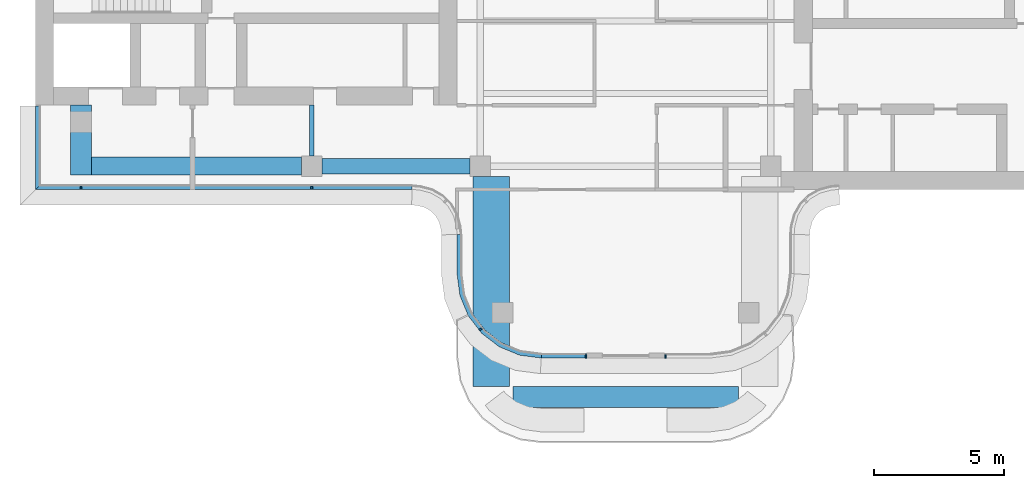
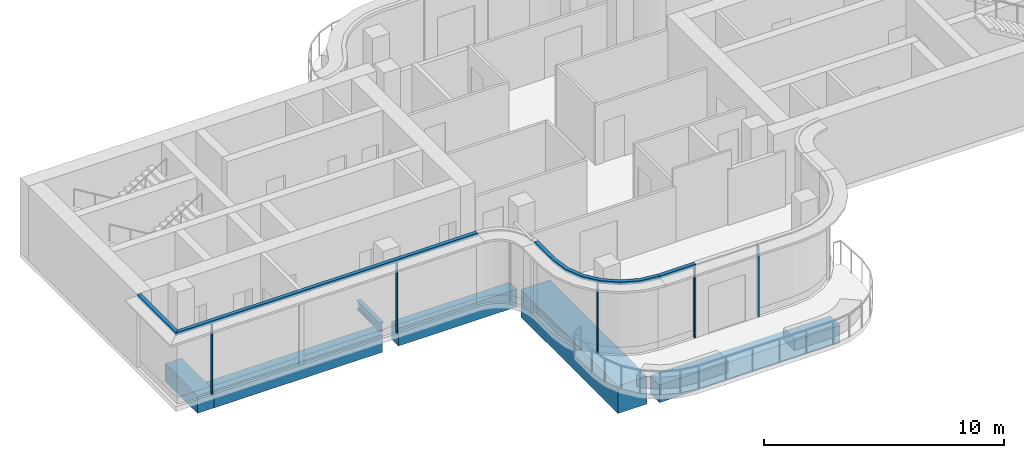
# One storey, part 2 of 9: 9 members, 6 beams, 5 elements without a shape of their own.
"""IFC4 building model written with IfcOpenShell, lengths in metres."""

from ifc_helpers import new_model, si_unit, direction, frame, origin, origin_2d, place, context, subcontext, project, spatial, polyline, rectangle, i_section, outline, extrude, source, transform, mapped, material, layer, layer_set, material_profile, profile_set, type_object, element, aggregate, save


model = new_model("IFC4")

# Units and contexts
model_context = context("Model", 3, precision=1e-05, world=origin(), true_north=direction((0.0, 1.0)))
body_context = subcontext(model_context, "Body", "Model", "MODEL_VIEW")
ifc_project = project(units=[si_unit("LENGTHUNIT", "METRE"), si_unit("AREAUNIT", "SQUARE_METRE"), si_unit("VOLUMEUNIT", "CUBIC_METRE"), si_unit("PLANEANGLEUNIT", "RADIAN"), si_unit("MASSUNIT", "GRAM", prefix="KILO")], contexts=[model_context])

# Site, building, storey
site_placement = place(None, origin())
site = spatial("IfcSite", under=ifc_project, at=site_placement, CompositionType="ELEMENT")
building_placement = place(site_placement, origin())
building = spatial("IfcBuilding", under=site, at=building_placement, Name="Trellis Farm Tower", CompositionType="ELEMENT")
storey_placement = place(building_placement, frame((0.0, 0.0, 354.10009765625)))
storey = spatial("IfcBuildingStorey", under=building, at=storey_placement, Name="L80", CompositionType="ELEMENT", Elevation=354.10009765625)

# Curtain wall, member
ifc_material_1 = material(Name="Aluminium and glass curtain wall", Category="aluminium")
ifc_layer_1 = layer(ifc_material_1, 0.176025390625)
ifc_layer_set_1 = layer_set([ifc_layer_1], Name="CROWN LANTERN CURTAIN WALL CW5")
curtain_wall_type = type_object("IfcCurtainWallType", Name="CROWN LANTERN CURTAIN WALL CW5", PredefinedType="NOTDEFINED", material=ifc_layer_set_1)
placement_1 = place(storey_placement, origin())
curtain_wall_1 = element("IfcCurtainWall", 1, at=placement_1, inside=storey, type_object=curtain_wall_type, Name="CW5 002", PredefinedType="NOTDEFINED")
ifc_material_2 = material(Name="Aluminium extrusion 6063-T6", Category="aluminium")
ifc_layer_2 = layer(ifc_material_2, 0.176025390625)
ifc_layer_set_2 = layer_set([ifc_layer_2], Name="Aluminium extrusion 6063-T6")
member_type_1 = type_object("IfcMemberType", Name="CW5 TRANSOM 176x150", PredefinedType="USERDEFINED", material=ifc_layer_set_2)
placement_2 = place(storey_placement, frame((0.0, 0.0, 3.599853515625)))
member_1 = element("IfcMember", 2, at=placement_2, type_object=member_type_1, Name="TR5 002", ObjectType="TRANSOM", PredefinedType="USERDEFINED", context=body_context, shape_type="SweptSolid", body=[
    extrude(outline(polyline([(-3.25, -13.0), (-1.5, -13.0), (-1.5, -12.823974609375), (-3.238525390625, -12.823974609375), (-3.25, -13.0)])), origin(), (0.0, 0.0, 1.0), 0.150146484375),
])

# Beams
ifc_material_3 = material(Name="Concrete C60/75", Category="concrete")
ifc_material_profile_1 = material_profile(ifc_material_3, rectangle(XDim=0.699951171875, YDim=0.89990234375, at=origin_2d()), Name="RC spandrel beam 700x900 C60/75")
ifc_profile_set_1 = profile_set([ifc_material_profile_1], Name="Concrete C60/75")
beam_type_1 = type_object("IfcBeamType", Name="RC spandrel beam 700x900 C60/75", PredefinedType="SPANDREL", material=ifc_profile_set_1)
shared_shape_1 = source(origin(), body_context, "Body", "SweptSolid", [
    extrude(rectangle(XDim=0.699951171875, YDim=0.89990234375, at=origin_2d()), origin(), (0.0, 0.0, 1.0), 8.10009765625),
])
beam_1_placement = place(storey_placement, frame((-20.60009765625, -5.60009765625, -0.7001953125), z_axis=(1.0, 0.0, 0.0), x_axis=(0.0, 1.0, 0.0)))
element("IfcBeam", 3, at=beam_1_placement, inside=storey, type_object=beam_type_1, Name="Girder", PredefinedType="SPANDREL", context=body_context, shape_type="MappedRepresentation", body=[
    mapped(shared_shape_1, transform((0.0, 0.0, 0.0))),
])
ifc_material_profile_2 = material_profile(ifc_material_3, rectangle(XDim=0.800048828125, YDim=0.89990234375, at=origin_2d()), Name="RC spandrel beam 800x900 C60/75")
ifc_profile_set_2 = profile_set([ifc_material_profile_2], Name="Concrete C60/75")
beam_type_2 = type_object("IfcBeamType", Name="RC spandrel beam 800x900 C60/75", PredefinedType="SPANDREL", material=ifc_profile_set_2)
shared_shape_2 = source(origin(), body_context, "Body", "SweptSolid", [
    extrude(rectangle(XDim=0.800048828125, YDim=0.89990234375, at=origin_2d()), origin(), (0.0, 0.0, 1.0), 2.699951171875),
])
beam_2_placement = place(storey_placement, frame((-21.0, -5.949951171875, -0.7001953125), z_axis=(0.0, 1.0, 0.0), x_axis=(-1.0, 0.0, 0.0)))
element("IfcBeam", 4, at=beam_2_placement, inside=storey, type_object=beam_type_2, Name="Girder", PredefinedType="SPANDREL", context=body_context, shape_type="MappedRepresentation", body=[
    mapped(shared_shape_2, transform((0.0, 0.0, 0.0))),
])
ifc_material_profile_3 = material_profile(ifc_material_3, rectangle(XDim=0.60009765625, YDim=0.89990234375, at=origin_2d()), Name="RC spandrel beam 600x900 C60/75")
ifc_profile_set_3 = profile_set([ifc_material_profile_3], Name="Concrete C60/75")
beam_type_3 = type_object("IfcBeamType", Name="RC spandrel beam 600x900 C60/75", PredefinedType="SPANDREL", material=ifc_profile_set_3)
shared_shape_3 = source(origin(), body_context, "Body", "SweptSolid", [
    extrude(rectangle(XDim=0.60009765625, YDim=0.89990234375, at=origin_2d()), origin(), (0.0, 0.0, 1.0), 5.699951171875),
])
beam_3_placement = place(storey_placement, frame((-11.699951171875, -5.60009765625, -0.7001953125), z_axis=(1.0, 0.0, 0.0), x_axis=(0.0, 1.0, 0.0)))
element("IfcBeam", 5, at=beam_3_placement, inside=storey, type_object=beam_type_3, Name="Girder", PredefinedType="SPANDREL", context=body_context, shape_type="MappedRepresentation", body=[
    mapped(shared_shape_3, transform((0.0, 0.0, 0.0))),
])
shared_shape_4 = source(origin(), body_context, "Body", "SweptSolid", [
    extrude(rectangle(XDim=0.800048828125, YDim=0.89990234375, at=origin_2d()), origin(), (0.0, 0.0, 1.0), 8.7001953125),
])
beam_4_placement = place(storey_placement, frame((-4.35009765625, -14.5, -0.7001953125), z_axis=(1.0, 0.0, 0.0), x_axis=(0.0, 1.0, 0.0)))
element("IfcBeam", 6, at=beam_4_placement, inside=storey, type_object=beam_type_2, Name="Girder", PredefinedType="SPANDREL", context=body_context, shape_type="MappedRepresentation", body=[
    mapped(shared_shape_4, transform((0.0, 0.0, 0.0))),
])
ifc_material_4 = material(Name="Concrete C80/95", Category="concrete")
ifc_material_profile_4 = material_profile(ifc_material_4, rectangle(XDim=1.39990234375, YDim=1.39990234375, at=origin_2d()), Name="RC transfer beam 1400x1400 C80/95")
ifc_profile_set_4 = profile_set([ifc_material_profile_4], Name="Concrete C80/95")
beam_type_4 = type_object("IfcBeamType", Name="RC transfer beam 1400x1400 C80/95", PredefinedType="BEAM", material=ifc_profile_set_4)
shared_shape_5 = source(origin(), body_context, "Body", "SweptSolid", [
    extrude(rectangle(XDim=1.39990234375, YDim=1.39990234375, at=origin_2d()), origin(), (0.0, 0.0, 1.0), 8.10009765625),
])
beam_5_placement = place(storey_placement, frame((-5.175048828125, -14.10009765625, -0.9501953125), z_axis=(0.0, 1.0, 0.0), x_axis=(-1.0, 0.0, 0.0)))
element("IfcBeam", 7, at=beam_5_placement, inside=storey, type_object=beam_type_4, Name="Transfer girder", PredefinedType="BEAM", context=body_context, shape_type="MappedRepresentation", body=[
    mapped(shared_shape_5, transform((0.0, 0.0, 0.0))),
])
ifc_material_5 = material(Name="Steel S355", Category="steel")
ifc_material_profile_5 = material_profile(ifc_material_5, i_section(OverallWidth=0.1904296875, OverallDepth=0.45703125, WebThickness=0.009033203125, FlangeThickness=0.014404296875, FilletRadius=0.01025390625, at=origin_2d()), Name="UB 457x191x74")
ifc_profile_set_5 = profile_set([ifc_material_profile_5], Name="Steel S355")
beam_type_5 = type_object("IfcBeamType", Name="UB 457x191x74", PredefinedType="BEAM", material=ifc_profile_set_5)
shared_shape_6 = source(origin(), body_context, "Body", "SweptSolid", [
    extrude(i_section(OverallWidth=0.1904296875, OverallDepth=0.45703125, WebThickness=0.009033203125, FlangeThickness=0.014404296875, FilletRadius=0.01025390625, at=origin_2d()), origin(), (0.0, 0.0, 1.0), 1.949951171875),
])
beam_6_placement = place(storey_placement, frame((-12.10009765625, -5.199951171875, -0.478515625), z_axis=(0.0, 1.0, 0.0), x_axis=(-1.0, 0.0, 0.0)))
element("IfcBeam", 8, at=beam_6_placement, inside=storey, type_object=beam_type_5, Name="Girder", PredefinedType="BEAM", context=body_context, shape_type="MappedRepresentation", body=[
    mapped(shared_shape_6, transform((0.0, 0.0, 0.0))),
])

# Curtain wall, member
curtain_wall_2 = element("IfcCurtainWall", 9, at=placement_1, inside=storey, type_object=curtain_wall_type, Name="CW5 001", PredefinedType="NOTDEFINED")
ifc_material_profile_6 = material_profile(ifc_material_2, rectangle(XDim=0.06005859375, YDim=0.1201171875, at=origin_2d()), Name="MULLION 60x120")
ifc_profile_set_6 = profile_set([ifc_material_profile_6], Name="Aluminium extrusion 6063-T6")
member_type_2 = type_object("IfcMemberType", Name="CW5 MULLION 60x120", PredefinedType="MULLION", material=ifc_profile_set_6)
shared_shape_7 = source(origin(), body_context, "Body", "SweptSolid", [
    extrude(rectangle(XDim=0.06005859375, YDim=0.1201171875, at=origin_2d()), origin(), (0.0, 0.0, 1.0), 3.599853515625),
])
member_2_placement = place(storey_placement, frame((-5.590087890625, -11.894775390625, 0.0), z_axis=(0.0, 0.0, 1.0), x_axis=(0.608761429009, -0.793353340291, 0.0)))
member_2 = element("IfcMember", 10, at=member_2_placement, type_object=member_type_2, Name="MU5 001-01", PredefinedType="MULLION", context=body_context, shape_type="MappedRepresentation", body=[
    mapped(shared_shape_7, transform((0.0, 0.0, 0.0))),
])

# Member
member_3_placement = place(storey_placement, frame((-1.530029296875, -12.93994140625, 0.0), z_axis=(0.0, 0.0, 1.0), x_axis=(1.0, 0.0, 0.0)))
member_3 = element("IfcMember", 11, at=member_3_placement, type_object=member_type_2, Name="MU5 002-01", PredefinedType="MULLION", context=body_context, shape_type="MappedRepresentation", body=[
    mapped(shared_shape_7, transform((0.0, 0.0, 0.0))),
])

aggregate(curtain_wall_1, [member_3, member_1])

# Curtain wall, member
curtain_wall_3 = element("IfcCurtainWall", 12, at=placement_1, inside=storey, type_object=curtain_wall_type, Name="CW5 003", PredefinedType="NOTDEFINED")
member_4_placement = place(storey_placement, frame((1.530029296875, -12.93994140625, 0.0), z_axis=(0.0, 0.0, 1.0), x_axis=(1.0, 0.0, 0.0)))
member_4 = element("IfcMember", 13, at=member_4_placement, type_object=member_type_2, Name="MU5 003-01", PredefinedType="MULLION", context=body_context, shape_type="MappedRepresentation", body=[
    mapped(shared_shape_7, transform((0.0, 0.0, 0.0))),
])
aggregate(curtain_wall_3, [member_4])

# Curtain wall, members
curtain_wall_4 = element("IfcCurtainWall", 14, at=placement_1, inside=storey, type_object=curtain_wall_type, Name="CW5 012", PredefinedType="NOTDEFINED")
member_5_placement = place(storey_placement, frame((-21.0, -6.43994140625, 0.0), z_axis=(0.0, 0.0, 1.0), x_axis=(1.0, 0.0, 0.0)))
member_5 = element("IfcMember", 15, at=member_5_placement, type_object=member_type_2, Name="MU5 012-01", PredefinedType="MULLION", context=body_context, shape_type="MappedRepresentation", body=[
    mapped(shared_shape_7, transform((0.0, 0.0, 0.0))),
])
member_6_placement = place(storey_placement, frame((-12.10009765625, -6.43994140625, 0.0), z_axis=(0.0, 0.0, 1.0), x_axis=(1.0, 0.0, 0.0)))
member_6 = element("IfcMember", 16, at=member_6_placement, type_object=member_type_2, Name="MU5 012-02", PredefinedType="MULLION", context=body_context, shape_type="MappedRepresentation", body=[
    mapped(shared_shape_7, transform((0.0, 0.0, 0.0))),
])
shared_shape_8 = source(origin(), body_context, "Body", "SweptSolid", [
    extrude(outline(polyline([(-22.75, -6.5), (-8.2314453125, -6.5), (-8.2255859375, -6.323974609375), (-22.573974609375, -6.323974609375), (-22.75, -6.5)])), origin(), (0.0, 0.0, 1.0), 0.150146484375),
])
member_7 = element("IfcMember", 17, at=placement_2, type_object=member_type_1, Name="TR5 012", ObjectType="TRANSOM", PredefinedType="USERDEFINED", context=body_context, shape_type="MappedRepresentation", body=[
    mapped(shared_shape_8, transform((0.0, 0.0, 0.0))),
])
aggregate(curtain_wall_4, [member_5, member_6, member_7])

# Curtain wall, member
curtain_wall_5 = element("IfcCurtainWall", 18, at=placement_1, inside=storey, type_object=curtain_wall_type, Name="CW5 011", PredefinedType="NOTDEFINED")
shared_shape_9 = source(origin(), body_context, "Body", "SweptSolid", [
    extrude(outline(polyline([(-22.75, -3.280029296875), (-22.75, -6.5), (-22.573974609375, -6.323974609375), (-22.573974609375, -3.280029296875), (-22.75, -3.280029296875)])), origin(), (0.0, 0.0, 1.0), 0.150146484375),
])
member_8 = element("IfcMember", 19, at=placement_2, type_object=member_type_1, Name="TR5 011", ObjectType="TRANSOM", PredefinedType="USERDEFINED", context=body_context, shape_type="MappedRepresentation", body=[
    mapped(shared_shape_9, transform((0.0, 0.0, 0.0))),
])
aggregate(curtain_wall_5, [member_8])

# Member
shared_shape_10 = source(origin(), body_context, "Body", "SweptSolid", [
    extrude(outline(polyline([(-6.5, -8.2314453125), (-6.5, -9.75), (-6.38916015625, -10.591064453125), (-6.064697265625, -11.375), (-5.548095703125, -12.048095703125), (-4.875, -12.564697265625), (-4.091064453125, -12.88916015625), (-3.25, -13.0), (-3.238525390625, -12.823974609375), (-4.045166015625, -12.7177734375), (-4.7861328125, -12.410888671875), (-5.422607421875, -11.922607421875), (-5.910888671875, -11.2861328125), (-6.2177734375, -10.545166015625), (-6.323974609375, -9.738525390625), (-6.323974609375, -8.2255859375), (-6.5, -8.2314453125)])), origin(), (0.0, 0.0, 1.0), 0.150146484375),
])
member_9 = element("IfcMember", 20, at=placement_2, type_object=member_type_1, Name="TR5 001", ObjectType="TRANSOM", PredefinedType="USERDEFINED", context=body_context, shape_type="MappedRepresentation", body=[
    mapped(shared_shape_10, transform((0.0, 0.0, 0.0))),
])

aggregate(curtain_wall_2, [member_2, member_9])

save(model, "model.ifc")
